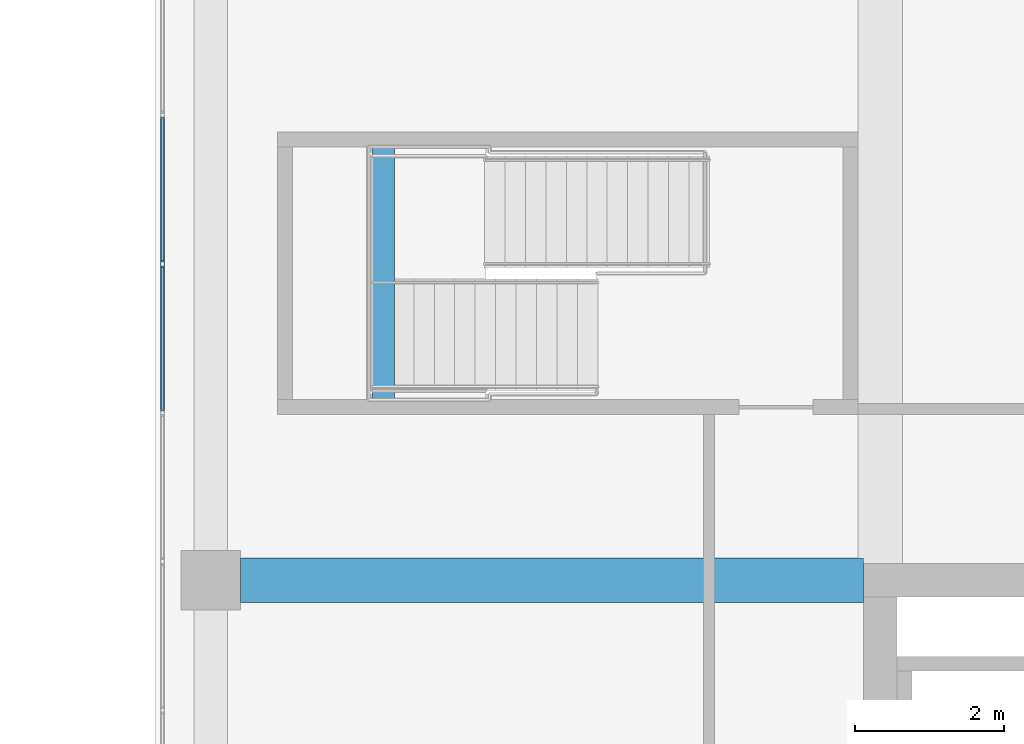
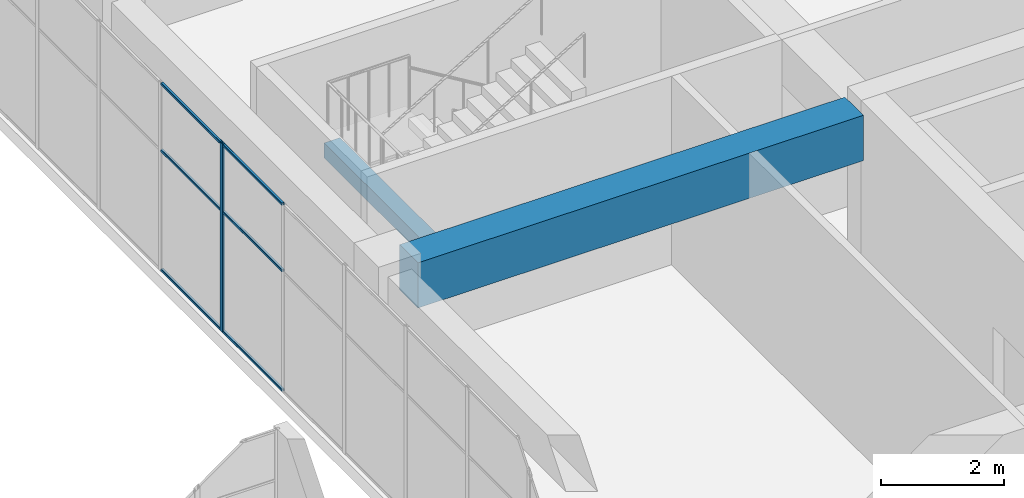
# One storey, part 28 of 65: 7 members, 2 beams, 1 element without a shape of its own.
"""IFC4 building model written with IfcOpenShell, lengths in metres."""

import ifcopenshell
import ifcopenshell.guid

model = None  # the IFC model being written
_history = None  # IfcOwnerHistory: only IFC2X3 demands one
_inside = {}  # id of a spatial element -> (the spatial element, [elements in it])
_under = {}  # id of a project, library or spatial element -> (it, [spatial elements below it])
_declared = {}  # id of a project -> (the project, [libraries it declares])
_typed = {}  # id of a type object -> (the type object, [elements of that type])
_made_of = {}  # id of a material, layer set ... -> (it, [elements and type objects made of it])


def new_model(schema):
    """Start an empty IFC model of exactly this schema.

    Asked for "IFC4X3", IfcOpenShell would pick the latest addendum, in which some entities
    have other attributes; the version numbers below select the first issue.
    IFC2X3 requires an IfcOwnerHistory on every rooted entity: one is made here for all.
    """
    global model, _history
    if schema == "IFC4X3":
        model = ifcopenshell.file(schema_version=(4, 3, 0, 0))
    else:
        model = ifcopenshell.file(schema=schema)
    _inside.clear()
    _under.clear()
    _declared.clear()
    _typed.clear()
    _made_of.clear()
    _history = None
    if model.schema == "IFC2X3":
        org = make("IfcOrganization", Name="unknown")
        user = make(
            "IfcPersonAndOrganization",
            ThePerson=make("IfcPerson", FamilyName="unknown"),
            TheOrganization=org,
        )
        app = make(
            "IfcApplication",
            ApplicationDeveloper=org,
            Version="unknown",
            ApplicationFullName="unknown",
            ApplicationIdentifier="unknown",
        )
        _history = make(
            "IfcOwnerHistory",
            OwningUser=user,
            OwningApplication=app,
            ChangeAction="ADDED",
            CreationDate=0,
        )
    return model


def make(cls, **values):
    """One entity of the class cls with the attributes given. An attribute that is None is left unset."""
    return model.create_entity(
        cls, **{name: value for name, value in values.items() if value is not None}
    )


def rooted(cls, **values):
    """An entity with a GlobalId (a new one), such as an element, a storey or a relation."""
    return make(cls, GlobalId=ifcopenshell.guid.new(), OwnerHistory=_history, **values)


def si_unit(unit_type, name, prefix=None):
    """IfcSIUnit, for example si_unit("LENGTHUNIT", "METRE", prefix="MILLI")."""
    return make("IfcSIUnit", UnitType=unit_type, Prefix=prefix, Name=name)


def assignment(units):
    """IfcUnitAssignment: the units of a project."""
    return None if units is None else make("IfcUnitAssignment", Units=units)


def point(xyz):
    """IfcCartesianPoint."""
    return None if xyz is None else make("IfcCartesianPoint", Coordinates=xyz)


def direction(xyz):
    """IfcDirection."""
    return None if xyz is None else make("IfcDirection", DirectionRatios=xyz)


def frame(location, z_axis=None, x_axis=None):
    """IfcAxis2Placement3D, a coordinate frame: its origin and axes. An axis left out is left unset."""
    return make(
        "IfcAxis2Placement3D",
        Location=point(location),
        Axis=direction(z_axis),
        RefDirection=direction(x_axis),
    )


def frame_2d(location, x_axis=None):
    """IfcAxis2Placement2D, a coordinate frame in the plane: its origin and x axis."""
    return make(
        "IfcAxis2Placement2D", Location=point(location), RefDirection=direction(x_axis)
    )


def origin():
    """The frame at (0, 0, 0) with its axes left unset."""
    return frame((0.0, 0.0, 0.0))


def origin_2d():
    """The frame at (0, 0) in the plane with its x axis left unset."""
    return frame_2d((0.0, 0.0))


def place(relative_to, where):
    """IfcLocalPlacement: puts the frame where relative to a parent placement (None: the world)."""
    return make(
        "IfcLocalPlacement", PlacementRelTo=relative_to, RelativePlacement=where
    )


def context(
    kind, dimensions, precision=None, world=None, true_north=None, identifier=None
):
    """IfcGeometricRepresentationContext, for example the 3D "Model" context."""
    return make(
        "IfcGeometricRepresentationContext",
        ContextIdentifier=identifier,
        ContextType=kind,
        CoordinateSpaceDimension=dimensions,
        Precision=precision,
        WorldCoordinateSystem=world,
        TrueNorth=true_north,
    )


def subcontext(parent, identifier, kind, view, scale=None):
    """IfcGeometricRepresentationSubContext, for example "Body" below "Model"."""
    return make(
        "IfcGeometricRepresentationSubContext",
        ContextIdentifier=identifier,
        ContextType=kind,
        ParentContext=parent,
        TargetScale=scale,
        TargetView=view,
    )


def project(units=None, contexts=None):
    """IfcProject with its units and contexts."""
    return rooted(
        "IfcProject",
        Name="project",
        RepresentationContexts=contexts,
        UnitsInContext=assignment(units),
    )


def spatial(cls, under=None, at=None, **own):
    """A site, building, storey or space (cls), placed at a placement, below another one or the project."""
    s = rooted(cls, ObjectPlacement=at, **own)
    if under is not None:
        _under.setdefault(under.id(), (under, []))[1].append(s)
    return s


def profile(cls, at=None, kind="AREA", **sizes):
    """A parametric profile (cls). Its sizes go by their IFC names, for example OverallWidth=200.0."""
    return make(cls, ProfileType=kind, Position=at, **sizes)


def rectangle(**sizes):
    """IfcRectangleProfileDef."""
    return profile("IfcRectangleProfileDef", **sizes)


def hollow_rectangle(**sizes):
    """IfcRectangleHollowProfileDef."""
    return profile("IfcRectangleHollowProfileDef", **sizes)


def extrude(swept, where, along, depth):
    """IfcExtrudedAreaSolid: the profile swept, set in the frame where, extruded along a direction by depth."""
    return make(
        "IfcExtrudedAreaSolid",
        SweptArea=swept,
        Position=where,
        ExtrudedDirection=direction(along),
        Depth=depth,
    )


def shape(context_of_items, identifier, shape_type, items):
    """IfcShapeRepresentation: the items that make up one representation, for example the "Body"."""
    return make(
        "IfcShapeRepresentation",
        ContextOfItems=context_of_items,
        RepresentationIdentifier=identifier,
        RepresentationType=shape_type,
        Items=items,
    )


def material(Name=None, Category=None):
    """IfcMaterial."""
    return make("IfcMaterial", Name=Name, Category=Category)


def layer(
    of_material, thickness, ventilated=None, Name=None, Category=None, Priority=None
):
    """IfcMaterialLayer: one layer of a wall or slab, of a material (None: an air gap)."""
    return make(
        "IfcMaterialLayer",
        Material=of_material,
        LayerThickness=thickness,
        IsVentilated=ventilated,
        Name=Name,
        Category=Category,
        Priority=Priority,
    )


def layer_set(layers, Name=None):
    """IfcMaterialLayerSet."""
    return make("IfcMaterialLayerSet", MaterialLayers=layers, LayerSetName=Name)


def material_profile(
    of_material, cross_section, Name=None, Category=None, Priority=None
):
    """IfcMaterialProfile: a cross section and its material."""
    return make(
        "IfcMaterialProfile",
        Name=Name,
        Material=of_material,
        Profile=cross_section,
        Priority=Priority,
        Category=Category,
    )


def profile_set(profiles, Name=None, composite=None):
    """IfcMaterialProfileSet."""
    return make(
        "IfcMaterialProfileSet",
        Name=Name,
        MaterialProfiles=profiles,
        CompositeProfile=composite,
    )


def made_of(thing, what):
    """Note that an element or type object is made of a material, layer set ...; save() writes the relation."""
    if what is not None:
        _made_of.setdefault(what.id(), (what, []))[1].append(thing)
    return thing


def type_object(cls, material=None, **own):
    """A type object (cls), such as IfcWallType, which elements share."""
    return made_of(rooted(cls, **own), material)


def element(
    cls,
    number,
    at=None,
    inside=None,
    cuts=None,
    type_object=None,
    material=None,
    context=None,
    identifier="Body",
    shape_type=None,
    held_by="IfcProductDefinitionShape",
    body=None,
    shapes=None,
    **own,
):
    """One element of the class cls, such as IfcWall. Its Tag is "e" and its number.

    at: its placement. inside: the storey or other place that contains it. cuts: it is an
    opening in that element (IfcRelVoidsElement). A single representation is given by context,
    identifier, shape_type and body (its items); several are given by shapes. held_by: the class
    of the entity that holds the representations. save() writes the other relations.
    """
    e = rooted(cls, Tag="e%d" % number, ObjectPlacement=at, **own)
    if body is not None:
        shapes = [shape(context, identifier, shape_type, body)]
    if shapes is not None:
        e.Representation = make(held_by, Representations=shapes)
    if inside is not None:
        _inside.setdefault(inside.id(), (inside, []))[1].append(e)
    if cuts is not None:
        rooted(
            "IfcRelVoidsElement", RelatingBuildingElement=cuts, RelatedOpeningElement=e
        )
    if type_object is not None:
        _typed.setdefault(type_object.id(), (type_object, []))[1].append(e)
    return made_of(e, material)


def aggregate(whole, parts):
    """IfcRelAggregates: a whole, such as a stair, and the parts it consists of."""
    return rooted("IfcRelAggregates", RelatingObject=whole, RelatedObjects=parts)


def save(model, path):
    """Write the relations noted so far, then the file.

    IfcRelAggregates (storeys below a building ...), IfcRelContainedInSpatialStructure (elements
    in a storey), IfcRelDefinesByType, IfcRelAssociatesMaterial and IfcRelDeclares: one each for
    every whole, place, type object, material and project.
    """
    for whole, parts in _under.values():
        aggregate(whole, parts)
    for where, things in _inside.values():
        rooted(
            "IfcRelContainedInSpatialStructure",
            RelatedElements=things,
            RelatingStructure=where,
        )
    for kind, things in _typed.values():
        rooted("IfcRelDefinesByType", RelatedObjects=things, RelatingType=kind)
    for what, things in _made_of.values():
        rooted("IfcRelAssociatesMaterial", RelatedObjects=things, RelatingMaterial=what)
    for by, libraries in _declared.values():
        rooted("IfcRelDeclares", RelatingContext=by, RelatedDefinitions=libraries)
    model.write(path)


model = new_model("IFC4")

# Units and contexts
model_context = context("Model", 3, precision=1e-05, world=origin(), true_north=direction((0.0, 1.0)))
body_context = subcontext(model_context, "Body", "Model", "MODEL_VIEW")
ifc_project = project(units=[si_unit("LENGTHUNIT", "METRE"), si_unit("AREAUNIT", "SQUARE_METRE"), si_unit("VOLUMEUNIT", "CUBIC_METRE"), si_unit("PLANEANGLEUNIT", "RADIAN"), si_unit("MASSUNIT", "GRAM", prefix="KILO")], contexts=[model_context])

# Site, building, storey
site_placement = place(None, origin())
site = spatial("IfcSite", under=ifc_project, at=site_placement, CompositionType="ELEMENT")
building_placement = place(site_placement, origin())
building = spatial("IfcBuilding", under=site, at=building_placement, Name="Tuart Plaza Theatre", CompositionType="ELEMENT")
storey_placement = place(building_placement, frame((0.0, 0.0, 9.5)))
storey = spatial("IfcBuildingStorey", under=building, at=storey_placement, Name="L02", CompositionType="ELEMENT", Elevation=9.5)

# Beams
ifc_material_1 = material(Name="Concrete N40 (40 MPa)", Category="concrete")
ifc_material_profile_1 = material_profile(ifc_material_1, rectangle(XDim=0.300048828125, YDim=0.300048828125, at=origin_2d()), Name="BEAM 300x300 Concrete N40 (40 MPa)")
ifc_profile_set_1 = profile_set([ifc_material_profile_1], Name="Concrete N40 (40 MPa)")
beam_type_1 = type_object("IfcBeamType", Name="BEAM 300x300 Concrete N40 (40 MPa)", PredefinedType="BEAM", material=ifc_profile_set_1)
beam_1_placement = place(storey_placement, frame((116.320068359375, 88.824951171875, 1.64990234375), z_axis=(0.0, -1.0, 0.0), x_axis=(1.0, 0.0, 0.0)))
element("IfcBeam", 1, at=beam_1_placement, inside=storey, type_object=beam_type_1, Name="RB530", PredefinedType="BEAM", context=body_context, shape_type="SweptSolid", body=[
    extrude(rectangle(XDim=0.300048828125, YDim=0.300048828125, at=origin_2d()), origin(), (0.0, 0.0, 1.0), 3.39990234375),
])
ifc_material_2 = material(Name="Concrete N40 (40 MPa)", Category="concrete")
ifc_material_profile_2 = material_profile(ifc_material_2, rectangle(XDim=0.60009765625, YDim=0.89990234375, at=origin_2d()), Name="BEAM 600x900 Concrete N40 (40 MPa)")
ifc_profile_set_2 = profile_set([ifc_material_profile_2], Name="Concrete N40 (40 MPa)")
beam_type_2 = type_object("IfcBeamType", Name="BEAM 600x900 Concrete N40 (40 MPa)", PredefinedType="BEAM", material=ifc_profile_set_2)
beam_2_placement = place(storey_placement, frame((114.39990234375, 83.0, 3.300048828125), z_axis=(1.0, 0.0, 0.0), x_axis=(0.0, 1.0, 0.0)))
element("IfcBeam", 2, at=beam_2_placement, inside=storey, type_object=beam_type_2, Name="RB169", PredefinedType="BEAM", context=body_context, shape_type="SweptSolid", body=[
    extrude(rectangle(XDim=0.60009765625, YDim=0.89990234375, at=origin_2d()), origin(), (0.0, 0.0, 1.0), 8.375),
])

# Curtain wall, members
ifc_material_3 = material(Name="Aluminium and glass", Category="aluminium")
ifc_layer = layer(ifc_material_3, 0.10009765625)
ifc_layer_set = layer_set([ifc_layer], Name="CURTAIN WALL 2000 module")
curtain_wall_type = type_object("IfcCurtainWallType", Name="CURTAIN WALL 2000 module", PredefinedType="NOTDEFINED", material=ifc_layer_set)
curtain_wall_placement = place(storey_placement, origin())
curtain_wall = element("IfcCurtainWall", 3, at=curtain_wall_placement, inside=storey, type_object=curtain_wall_type, Name="CW73", PredefinedType="NOTDEFINED")
ifc_material_4 = material(Name="Aluminium 6063-T5", Category="aluminium")
ifc_material_profile_3 = material_profile(ifc_material_4, hollow_rectangle(XDim=0.050048828125, YDim=0.10009765625, WallThickness=0.00390625, InnerFilletRadius=0.00390625, OuterFilletRadius=0.008056640625, at=origin_2d()), Name="RHS 100x50x4")
ifc_profile_set_3 = profile_set([ifc_material_profile_3], Name="Aluminium 6063-T5")
member_type_1 = type_object("IfcMemberType", Name="MULLION RHS 100x50x4", PredefinedType="MULLION", material=ifc_profile_set_3)
member_1_placement = place(storey_placement, frame((113.35009765625, 87.25, 0.0), z_axis=(0.0, 0.0, 1.0), x_axis=(1.0, 0.0, 0.0)))
member_1 = element("IfcMember", 4, at=member_1_placement, type_object=member_type_1, Name="CW73 mullion 6", PredefinedType="MULLION", context=body_context, shape_type="SweptSolid", body=[
    extrude(hollow_rectangle(XDim=0.050048828125, YDim=0.10009765625, WallThickness=0.00390625, InnerFilletRadius=0.00390625, OuterFilletRadius=0.008056640625, at=origin_2d()), origin(), (0.0, 0.0, 1.0), 3.75),
])
ifc_material_5 = material(Name="Aluminium 6063-T5", Category="aluminium")
ifc_material_profile_4 = material_profile(ifc_material_5, hollow_rectangle(XDim=0.050048828125, YDim=0.050048828125, WallThickness=0.00390625, InnerFilletRadius=0.00390625, OuterFilletRadius=0.008056640625, at=origin_2d()), Name="RHS 50x50x4")
ifc_profile_set_4 = profile_set([ifc_material_profile_4], Name="Aluminium 6063-T5")
member_type_2 = type_object("IfcMemberType", Name="TRANSOM RHS 50x50x4", PredefinedType="USERDEFINED", material=ifc_profile_set_4)
member_2_placement = place(storey_placement, frame((113.35009765625, 89.22509765625, 0.02490234375), z_axis=(0.0, -1.0, 0.0), x_axis=(1.0, 0.0, 0.0)))
member_2 = element("IfcMember", 5, at=member_2_placement, type_object=member_type_2, Name="CW73 transom 5.1", ObjectType="TRANSOM", PredefinedType="USERDEFINED", context=body_context, shape_type="SweptSolid", body=[
    extrude(hollow_rectangle(XDim=0.050048828125, YDim=0.050048828125, WallThickness=0.00390625, InnerFilletRadius=0.00390625, OuterFilletRadius=0.008056640625, at=origin_2d()), origin(), (0.0, 0.0, 1.0), 1.9501953125),
])
member_3_placement = place(storey_placement, frame((113.35009765625, 89.22509765625, 2.39990234375), z_axis=(0.0, -1.0, 0.0), x_axis=(1.0, 0.0, 0.0)))
member_3 = element("IfcMember", 6, at=member_3_placement, type_object=member_type_2, Name="CW73 transom 5.2", ObjectType="TRANSOM", PredefinedType="USERDEFINED", context=body_context, shape_type="SweptSolid", body=[
    extrude(hollow_rectangle(XDim=0.050048828125, YDim=0.050048828125, WallThickness=0.00390625, InnerFilletRadius=0.00390625, OuterFilletRadius=0.008056640625, at=origin_2d()), origin(), (0.0, 0.0, 1.0), 1.9501953125),
])
member_4_placement = place(storey_placement, frame((113.35009765625, 89.22509765625, 3.72509765625), z_axis=(0.0, -1.0, 0.0), x_axis=(1.0, 0.0, 0.0)))
member_4 = element("IfcMember", 7, at=member_4_placement, type_object=member_type_2, Name="CW73 transom 5.3", ObjectType="TRANSOM", PredefinedType="USERDEFINED", context=body_context, shape_type="SweptSolid", body=[
    extrude(hollow_rectangle(XDim=0.050048828125, YDim=0.050048828125, WallThickness=0.00390625, InnerFilletRadius=0.00390625, OuterFilletRadius=0.008056640625, at=origin_2d()), origin(), (0.0, 0.0, 1.0), 1.9501953125),
])
member_5_placement = place(storey_placement, frame((113.35009765625, 87.22509765625, 0.02490234375), z_axis=(0.0, -1.0, 0.0), x_axis=(1.0, 0.0, 0.0)))
member_5 = element("IfcMember", 8, at=member_5_placement, type_object=member_type_2, Name="CW73 transom 6.1", ObjectType="TRANSOM", PredefinedType="USERDEFINED", context=body_context, shape_type="SweptSolid", body=[
    extrude(hollow_rectangle(XDim=0.050048828125, YDim=0.050048828125, WallThickness=0.00390625, InnerFilletRadius=0.00390625, OuterFilletRadius=0.008056640625, at=origin_2d()), origin(), (0.0, 0.0, 1.0), 1.9501953125),
])
member_6_placement = place(storey_placement, frame((113.35009765625, 87.22509765625, 2.39990234375), z_axis=(0.0, -1.0, 0.0), x_axis=(1.0, 0.0, 0.0)))
member_6 = element("IfcMember", 9, at=member_6_placement, type_object=member_type_2, Name="CW73 transom 6.2", ObjectType="TRANSOM", PredefinedType="USERDEFINED", context=body_context, shape_type="SweptSolid", body=[
    extrude(hollow_rectangle(XDim=0.050048828125, YDim=0.050048828125, WallThickness=0.00390625, InnerFilletRadius=0.00390625, OuterFilletRadius=0.008056640625, at=origin_2d()), origin(), (0.0, 0.0, 1.0), 1.9501953125),
])
member_7_placement = place(storey_placement, frame((113.35009765625, 87.22509765625, 3.72509765625), z_axis=(0.0, -1.0, 0.0), x_axis=(1.0, 0.0, 0.0)))
member_7 = element("IfcMember", 10, at=member_7_placement, type_object=member_type_2, Name="CW73 transom 6.3", ObjectType="TRANSOM", PredefinedType="USERDEFINED", context=body_context, shape_type="SweptSolid", body=[
    extrude(hollow_rectangle(XDim=0.050048828125, YDim=0.050048828125, WallThickness=0.00390625, InnerFilletRadius=0.00390625, OuterFilletRadius=0.008056640625, at=origin_2d()), origin(), (0.0, 0.0, 1.0), 1.9501953125),
])
aggregate(curtain_wall, [member_1, member_2, member_3, member_4, member_5, member_6, member_7])

save(model, "model.ifc")
